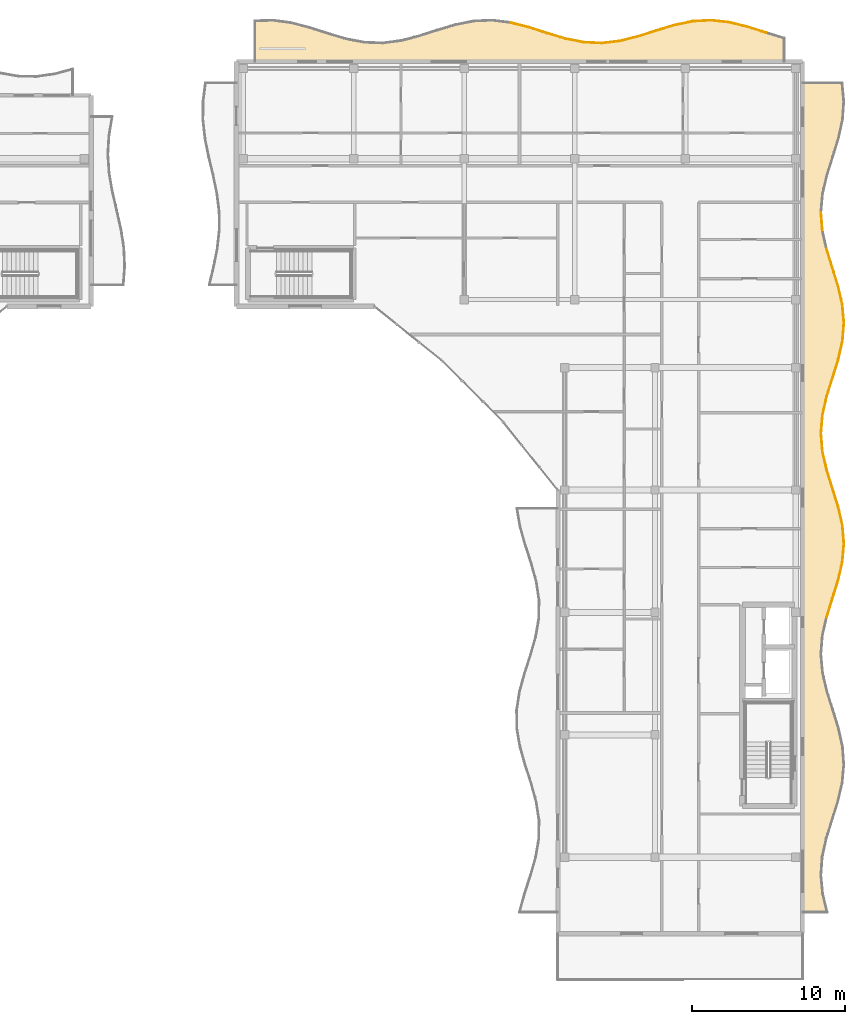
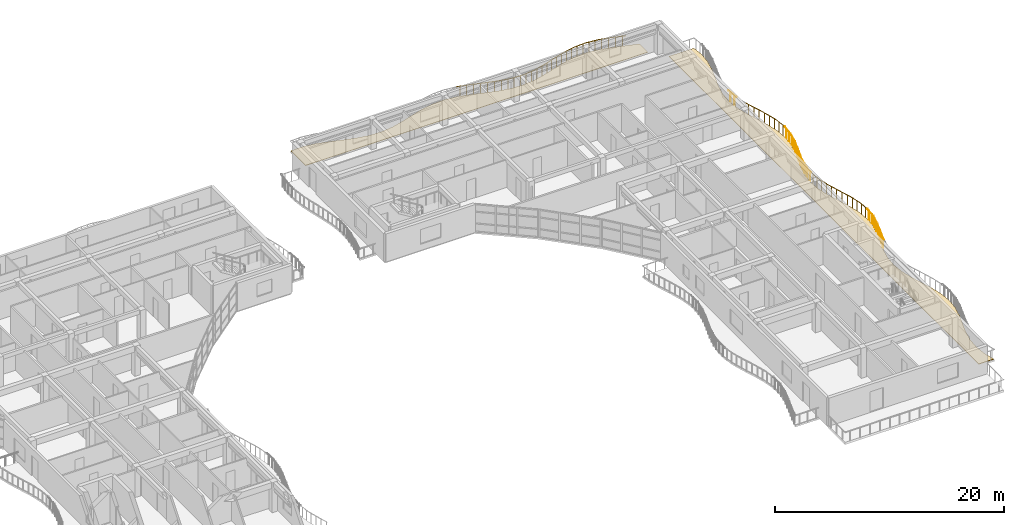
# One storey, part 48 of 49: 35 railings, 2 coverings.
"""IFC4 building model written with IfcOpenShell, lengths in metres."""

from ifc_helpers import new_model, si_unit, direction, frame, origin, origin_2d, place, context, subcontext, project, spatial, polyline, circle, outline, extrude, material, layer, layer_set, type_object, element, save


model = new_model("IFC4")

# Units and contexts
model_context = context("Model", 3, precision=1e-05, world=origin(), true_north=direction((0.0, 1.0)))
body_context = subcontext(model_context, "Body", "Model", "MODEL_VIEW")
ifc_project = project(units=[si_unit("LENGTHUNIT", "METRE"), si_unit("AREAUNIT", "SQUARE_METRE"), si_unit("VOLUMEUNIT", "CUBIC_METRE"), si_unit("PLANEANGLEUNIT", "RADIAN"), si_unit("MASSUNIT", "GRAM", prefix="KILO")], contexts=[model_context])

# Site, building, storey
site_placement = place(None, origin())
site = spatial("IfcSite", under=ifc_project, at=site_placement, CompositionType="ELEMENT")
building_placement = place(site_placement, origin())
building = spatial("IfcBuilding", under=site, at=building_placement, Name="Keldmere Railside Commons", CompositionType="ELEMENT")
storey_placement = place(building_placement, frame((0.0, 0.0, 29.760009765625)))
storey = spatial("IfcBuildingStorey", under=building, at=storey_placement, Name="L09", CompositionType="ELEMENT", Elevation=29.760009765625)

# Railings
ifc_material_1 = material(Name="Steel F-24 (S235)", Category="steel")
railing_type = type_object("IfcRailingType", Name="Balcony & Terrace Steel Balustrade 1100", PredefinedType="BALUSTRADE", material=ifc_material_1)
railing_1_placement = place(storey_placement, frame((164.9033203125, 118.546630859375, 0.0)))
element("IfcRailing", 1, at=railing_1_placement, inside=storey, type_object=railing_type, Name="GR-1 GRD-L09-4235", PredefinedType="BALUSTRADE", context=body_context, shape_type="SweptSolid", body=[
    extrude(circle(Radius=0.02392578125, at=origin_2d()), frame((0.0, 0.0, 1.076171875), z_axis=(0.968822622389, -0.24775537602, 0.0), x_axis=(0.24775537602, 0.968822622389, 0.0)), (0.0, 0.0, 1.0), 1.231689453125),
    extrude(circle(Radius=0.02099609375, at=origin_2d()), frame((0.29833984375, -0.076171875, 0.0)), (0.0, 0.0, 1.0), 1.048095703125),
    extrude(circle(Radius=0.02099609375, at=origin_2d()), frame((0.89501953125, -0.22900390625, 0.0)), (0.0, 0.0, 1.0), 1.048095703125),
])
railing_2_placement = place(storey_placement, frame((166.0966796875, 118.241455078125, 0.0)))
element("IfcRailing", 2, at=railing_2_placement, inside=storey, type_object=railing_type, Name="GR-1 GRD-L09-4236", PredefinedType="BALUSTRADE", context=body_context, shape_type="SweptSolid", body=[
    extrude(circle(Radius=0.02392578125, at=origin_2d()), frame((0.0, 0.0, 1.076171875), z_axis=(0.952301891594, -0.305157512224, 0.0), x_axis=(0.305157512224, 0.952301891594, 0.0)), (0.0, 0.0, 1.0), 1.2529296875),
    extrude(circle(Radius=0.02099609375, at=origin_2d()), frame((0.29833984375, -0.095703125, 0.0)), (0.0, 0.0, 1.0), 1.048095703125),
    extrude(circle(Radius=0.02099609375, at=origin_2d()), frame((0.894775390625, -0.28662109375, 0.0)), (0.0, 0.0, 1.0), 1.048095703125),
])
railing_3_placement = place(storey_placement, frame((167.289794921875, 117.859130859375, 0.0)))
element("IfcRailing", 3, at=railing_3_placement, inside=storey, type_object=railing_type, Name="GR-1 GRD-L09-4237", PredefinedType="BALUSTRADE", context=body_context, shape_type="SweptSolid", body=[
    extrude(circle(Radius=0.02392578125, at=origin_2d()), frame((0.0, 0.0, 1.076171875), z_axis=(0.957777724857, -0.287509703779, 0.0), x_axis=(0.287509703779, 0.957777724857, 0.0)), (0.0, 0.0, 1.0), 1.24560546875),
    extrude(circle(Radius=0.02099609375, at=origin_2d()), frame((0.29833984375, -0.089599609375, 0.0)), (0.0, 0.0, 1.0), 1.048095703125),
    extrude(circle(Radius=0.02099609375, at=origin_2d()), frame((0.894775390625, -0.2685546875, 0.0)), (0.0, 0.0, 1.0), 1.048095703125),
])
railing_4_placement = place(storey_placement, frame((168.48291015625, 117.5009765625, 0.0)))
element("IfcRailing", 4, at=railing_4_placement, inside=storey, type_object=railing_type, Name="GR-1 GRD-L09-4238", PredefinedType="BALUSTRADE", context=body_context, shape_type="SweptSolid", body=[
    extrude(circle(Radius=0.02392578125, at=origin_2d()), frame((0.0, 0.0, 1.076171875), z_axis=(0.980472473907, -0.196656370125, 0.0), x_axis=(0.196656370125, 0.980472473907, 0.0)), (0.0, 0.0, 1.0), 1.216552734375),
    extrude(circle(Radius=0.02099609375, at=origin_2d()), frame((0.29833984375, -0.059814453125, 0.0)), (0.0, 0.0, 1.0), 1.048095703125),
    extrude(circle(Radius=0.02099609375, at=origin_2d()), frame((0.89453125, -0.179443359375, 0.0)), (0.0, 0.0, 1.0), 1.048095703125),
])
railing_5_placement = place(storey_placement, frame((169.67578125, 117.26171875, 0.0)))
element("IfcRailing", 5, at=railing_5_placement, inside=storey, type_object=railing_type, Name="GR-1 GRD-L09-4239", PredefinedType="BALUSTRADE", context=body_context, shape_type="SweptSolid", body=[
    extrude(circle(Radius=0.02392578125, at=origin_2d()), frame((0.0, 0.0, 1.076171875), z_axis=(0.99885561793, -0.047827340822, 0.0), x_axis=(0.047827340822, 0.99885561793, 0.0)), (0.0, 0.0, 1.0), 1.194580078125),
    extrude(circle(Radius=0.02099609375, at=origin_2d()), frame((0.29833984375, -0.01416015625, 0.0)), (0.0, 0.0, 1.0), 1.048095703125),
    extrude(circle(Radius=0.02099609375, at=origin_2d()), frame((0.894775390625, -0.04296875, 0.0)), (0.0, 0.0, 1.0), 1.048095703125),
])
railing_6_placement = place(storey_placement, frame((170.868896484375, 117.20458984375, 0.0)))
element("IfcRailing", 6, at=railing_6_placement, inside=storey, type_object=railing_type, Name="GR-1 GRD-L09-4240", PredefinedType="BALUSTRADE", context=body_context, shape_type="SweptSolid", body=[
    extrude(circle(Radius=0.02392578125, at=origin_2d()), frame((0.0, 0.0, 1.076171875), z_axis=(0.9931256129, 0.117053479237, 0.0), x_axis=(-0.117053479237, 0.9931256129, 0.0)), (0.0, 0.0, 1.0), 1.201416015625),
    extrude(circle(Radius=0.02099609375, at=origin_2d()), frame((0.29833984375, 0.03515625, 0.0)), (0.0, 0.0, 1.0), 1.048095703125),
    extrude(circle(Radius=0.02099609375, at=origin_2d()), frame((0.894775390625, 0.10546875, 0.0)), (0.0, 0.0, 1.0), 1.048095703125),
])
railing_7_placement = place(storey_placement, frame((172.06201171875, 117.34521484375, 0.0)))
element("IfcRailing", 7, at=railing_7_placement, inside=storey, type_object=railing_type, Name="GR-1 GRD-L09-4241", PredefinedType="BALUSTRADE", context=body_context, shape_type="SweptSolid", body=[
    extrude(circle(Radius=0.02392578125, at=origin_2d()), frame((0.0, 0.0, 1.076171875), z_axis=(0.969662077574, 0.244449289865, 0.0), x_axis=(-0.244449289865, 0.969662077574, 0.0)), (0.0, 0.0, 1.0), 1.23046875),
    extrude(circle(Radius=0.02099609375, at=origin_2d()), frame((0.29833984375, 0.0751953125, 0.0)), (0.0, 0.0, 1.0), 1.048095703125),
    extrude(circle(Radius=0.02099609375, at=origin_2d()), frame((0.894775390625, 0.2255859375, 0.0)), (0.0, 0.0, 1.0), 1.048095703125),
])
railing_8_placement = place(storey_placement, frame((173.255126953125, 117.64599609375, 0.0)))
element("IfcRailing", 8, at=railing_8_placement, inside=storey, type_object=railing_type, Name="GR-1 GRD-L09-4242", PredefinedType="BALUSTRADE", context=body_context, shape_type="SweptSolid", body=[
    extrude(circle(Radius=0.02392578125, at=origin_2d()), frame((0.0, 0.0, 1.076171875), z_axis=(0.952528194843, 0.304450386811, 0.0), x_axis=(-0.304450386811, 0.952528194843, 0.0)), (0.0, 0.0, 1.0), 1.252685546875),
    extrude(circle(Radius=0.02099609375, at=origin_2d()), frame((0.29833984375, 0.09521484375, 0.0)), (0.0, 0.0, 1.0), 1.048095703125),
    extrude(circle(Radius=0.02099609375, at=origin_2d()), frame((0.894775390625, 0.2861328125, 0.0)), (0.0, 0.0, 1.0), 1.048095703125),
])
railing_9_placement = place(storey_placement, frame((174.4482421875, 118.02734375, 0.0)))
element("IfcRailing", 9, at=railing_9_placement, inside=storey, type_object=railing_type, Name="GR-1 GRD-L09-4243", PredefinedType="BALUSTRADE", context=body_context, shape_type="SweptSolid", body=[
    extrude(circle(Radius=0.02392578125, at=origin_2d()), frame((0.0, 0.0, 1.076171875), z_axis=(0.957182402153, 0.289485490154, 0.0), x_axis=(-0.289485490154, 0.957182402153, 0.0)), (0.0, 0.0, 1.0), 1.24658203125),
    extrude(circle(Radius=0.02099609375, at=origin_2d()), frame((0.29833984375, 0.09033203125, 0.0)), (0.0, 0.0, 1.0), 1.048095703125),
    extrude(circle(Radius=0.02099609375, at=origin_2d()), frame((0.894775390625, 0.2705078125, 0.0)), (0.0, 0.0, 1.0), 1.048095703125),
])
railing_10_placement = place(storey_placement, frame((175.641357421875, 118.38818359375, 0.0)))
element("IfcRailing", 10, at=railing_10_placement, inside=storey, type_object=railing_type, Name="GR-1 GRD-L09-4244", PredefinedType="BALUSTRADE", context=body_context, shape_type="SweptSolid", body=[
    extrude(circle(Radius=0.02392578125, at=origin_2d()), frame((0.0, 0.0, 1.076171875), z_axis=(0.979620908253, 0.200855361177, 0.0), x_axis=(-0.200855361177, 0.979620908253, 0.0)), (0.0, 0.0, 1.0), 1.218017578125),
    extrude(circle(Radius=0.02099609375, at=origin_2d()), frame((0.29833984375, 0.06103515625, 0.0)), (0.0, 0.0, 1.0), 1.048095703125),
    extrude(circle(Radius=0.02099609375, at=origin_2d()), frame((0.894775390625, 0.18359375, 0.0)), (0.0, 0.0, 1.0), 1.048095703125),
])
railing_11_placement = place(storey_placement, frame((176.83447265625, 118.6328125, 0.0)))
element("IfcRailing", 11, at=railing_11_placement, inside=storey, type_object=railing_type, Name="GR-1 GRD-L09-4245", PredefinedType="BALUSTRADE", context=body_context, shape_type="SweptSolid", body=[
    extrude(circle(Radius=0.02392578125, at=origin_2d()), frame((0.0, 0.0, 1.076171875), z_axis=(0.998565987454, 0.053534742933, 0.0), x_axis=(-0.053534742933, 0.998565987454, 0.0)), (0.0, 0.0, 1.0), 1.19482421875),
    extrude(circle(Radius=0.02099609375, at=origin_2d()), frame((0.29833984375, 0.01611328125, 0.0)), (0.0, 0.0, 1.0), 1.048095703125),
    extrude(circle(Radius=0.02099609375, at=origin_2d()), frame((0.894775390625, 0.0478515625, 0.0)), (0.0, 0.0, 1.0), 1.048095703125),
])
railing_12_placement = place(storey_placement, frame((178.027587890625, 118.69677734375, 0.0)))
element("IfcRailing", 12, at=railing_12_placement, inside=storey, type_object=railing_type, Name="GR-1 GRD-L09-4246", PredefinedType="BALUSTRADE", context=body_context, shape_type="SweptSolid", body=[
    extrude(circle(Radius=0.02392578125, at=origin_2d()), frame((0.0, 0.0, 1.076171875), z_axis=(0.993726514881, -0.111837442845, 0.0), x_axis=(0.111837442845, 0.993726514881, 0.0)), (0.0, 0.0, 1.0), 1.20068359375),
    extrude(circle(Radius=0.02099609375, at=origin_2d()), frame((0.29833984375, -0.03369140625, 0.0)), (0.0, 0.0, 1.0), 1.048095703125),
    extrude(circle(Radius=0.02099609375, at=origin_2d()), frame((0.894775390625, -0.1005859375, 0.0)), (0.0, 0.0, 1.0), 1.048095703125),
])
railing_13_placement = place(storey_placement, frame((179.220703125, 118.5625, 0.0)))
element("IfcRailing", 13, at=railing_13_placement, inside=storey, type_object=railing_type, Name="GR-1 GRD-L09-4247", PredefinedType="BALUSTRADE", context=body_context, shape_type="SweptSolid", body=[
    extrude(circle(Radius=0.02392578125, at=origin_2d()), frame((0.0, 0.0, 1.076171875), z_axis=(0.970503551286, -0.241086824486, 0.0), x_axis=(0.241086824486, 0.970503551286, 0.0)), (0.0, 0.0, 1.0), 1.2294921875),
    extrude(circle(Radius=0.02099609375, at=origin_2d()), frame((0.29833984375, -0.07421875, 0.0)), (0.0, 0.0, 1.0), 1.048095703125),
    extrude(circle(Radius=0.02099609375, at=origin_2d()), frame((0.894775390625, -0.22216796875, 0.0)), (0.0, 0.0, 1.0), 1.048095703125),
])
railing_14_placement = place(storey_placement, frame((180.413818359375, 118.26611328125, 0.0)))
element("IfcRailing", 14, at=railing_14_placement, inside=storey, type_object=railing_type, Name="GR-1 GRD-L09-4248", PredefinedType="BALUSTRADE", context=body_context, shape_type="SweptSolid", body=[
    extrude(circle(Radius=0.02392578125, at=origin_2d()), frame((0.0, 0.0, 1.076171875), z_axis=(0.952810485986, -0.303565771778, 0.0), x_axis=(0.303565771778, 0.952810485986, 0.0)), (0.0, 0.0, 1.0), 1.252197265625),
    extrude(circle(Radius=0.02099609375, at=origin_2d()), frame((0.29833984375, -0.094970703125, 0.0)), (0.0, 0.0, 1.0), 1.048095703125),
    extrude(circle(Radius=0.02099609375, at=origin_2d()), frame((0.894775390625, -0.28515625, 0.0)), (0.0, 0.0, 1.0), 1.048095703125),
])
railing_15_placement = place(storey_placement, frame((185.563720703125, 79.671142578125, 0.0)))
element("IfcRailing", 15, at=railing_15_placement, inside=storey, type_object=railing_type, Name="GR-1 GRD-L09-4292", PredefinedType="BALUSTRADE", context=body_context, shape_type="SweptSolid", body=[
    extrude(circle(Radius=0.02392578125, at=origin_2d()), frame((0.0, 0.0, 1.076171875), z_axis=(0.297117535427, 0.954840913525, 0.0), x_axis=(-0.954840913525, 0.297117535427, 0.0)), (0.0, 0.0, 1.0), 1.26123046875),
    extrude(circle(Radius=0.02099609375, at=origin_2d()), frame((0.09375, 0.301025390625, 0.0)), (0.0, 0.0, 1.0), 1.048095703125),
    extrude(circle(Radius=0.02099609375, at=origin_2d()), frame((0.281005859375, 0.9033203125, 0.0)), (0.0, 0.0, 1.0), 1.048095703125),
])
railing_16_placement = place(storey_placement, frame((185.9384765625, 80.87548828125, 0.0)))
element("IfcRailing", 16, at=railing_16_placement, inside=storey, type_object=railing_type, Name="GR-1 GRD-L09-4293", PredefinedType="BALUSTRADE", context=body_context, shape_type="SweptSolid", body=[
    extrude(circle(Radius=0.02392578125, at=origin_2d()), frame((0.0, 0.0, 1.076171875), z_axis=(0.299177815666, 0.954197377178, 0.0), x_axis=(-0.954197377178, 0.299177815666, 0.0)), (0.0, 0.0, 1.0), 1.262451171875),
    extrude(circle(Radius=0.02099609375, at=origin_2d()), frame((0.094482421875, 0.30126953125, 0.0)), (0.0, 0.0, 1.0), 1.048095703125),
    extrude(circle(Radius=0.02099609375, at=origin_2d()), frame((0.283203125, 0.9033203125, 0.0)), (0.0, 0.0, 1.0), 1.048095703125),
])
railing_17_placement = place(storey_placement, frame((186.316162109375, 82.080078125, 0.0)))
element("IfcRailing", 17, at=railing_17_placement, inside=storey, type_object=railing_type, Name="GR-1 GRD-L09-4294", PredefinedType="BALUSTRADE", context=body_context, shape_type="SweptSolid", body=[
    extrude(circle(Radius=0.02392578125, at=origin_2d()), frame((0.0, 0.0, 1.076171875), z_axis=(0.225724799596, 0.97419110797, 0.0), x_axis=(-0.97419110797, 0.225724799596, 0.0)), (0.0, 0.0, 1.0), 1.236328125),
    extrude(circle(Radius=0.02099609375, at=origin_2d()), frame((0.06982421875, 0.301025390625, 0.0)), (0.0, 0.0, 1.0), 1.048095703125),
    extrude(circle(Radius=0.02099609375, at=origin_2d()), frame((0.209228515625, 0.9033203125, 0.0)), (0.0, 0.0, 1.0), 1.048095703125),
])
railing_18_placement = place(storey_placement, frame((186.59521484375, 83.284423828125, 0.0)))
element("IfcRailing", 18, at=railing_18_placement, inside=storey, type_object=railing_type, Name="GR-1 GRD-L09-4295", PredefinedType="BALUSTRADE", context=body_context, shape_type="SweptSolid", body=[
    extrude(circle(Radius=0.02392578125, at=origin_2d()), frame((0.0, 0.0, 1.076171875), z_axis=(0.086620903395, 0.996241345807, 0.0), x_axis=(-0.996241345807, 0.086620903395, 0.0)), (0.0, 0.0, 1.0), 1.209228515625),
    extrude(circle(Radius=0.02099609375, at=origin_2d()), frame((0.026123046875, 0.30126953125, 0.0)), (0.0, 0.0, 1.0), 1.048095703125),
    extrude(circle(Radius=0.02099609375, at=origin_2d()), frame((0.07861328125, 0.9033203125, 0.0)), (0.0, 0.0, 1.0), 1.048095703125),
])
railing_19_placement = place(storey_placement, frame((186.699951171875, 84.489013671875, 0.0)))
element("IfcRailing", 19, at=railing_19_placement, inside=storey, type_object=railing_type, Name="GR-1 GRD-L09-4296", PredefinedType="BALUSTRADE", context=body_context, shape_type="SweptSolid", body=[
    extrude(circle(Radius=0.02392578125, at=origin_2d()), frame((0.0, 0.0, 1.076171875), z_axis=(-0.080821293997, 0.996728608216, 0.0), x_axis=(-0.996728608216, -0.080821293997, 0.0)), (0.0, 0.0, 1.0), 1.208251953125),
    extrude(circle(Radius=0.02099609375, at=origin_2d()), frame((-0.0244140625, 0.301025390625, 0.0)), (0.0, 0.0, 1.0), 1.048095703125),
    extrude(circle(Radius=0.02099609375, at=origin_2d()), frame((-0.0732421875, 0.9033203125, 0.0)), (0.0, 0.0, 1.0), 1.048095703125),
])
railing_20_placement = place(storey_placement, frame((186.602294921875, 85.693359375, 0.0)))
element("IfcRailing", 20, at=railing_20_placement, inside=storey, type_object=railing_type, Name="GR-1 GRD-L09-4297", PredefinedType="BALUSTRADE", context=body_context, shape_type="SweptSolid", body=[
    extrude(circle(Radius=0.02392578125, at=origin_2d()), frame((0.0, 0.0, 1.076171875), z_axis=(-0.221595471576, 0.975138680895, 0.0), x_axis=(-0.975138680895, -0.221595471576, 0.0)), (0.0, 0.0, 1.0), 1.235107421875),
    extrude(circle(Radius=0.02099609375, at=origin_2d()), frame((-0.068359375, 0.301025390625, 0.0)), (0.0, 0.0, 1.0), 1.048095703125),
    extrude(circle(Radius=0.02099609375, at=origin_2d()), frame((-0.205322265625, 0.9033203125, 0.0)), (0.0, 0.0, 1.0), 1.048095703125),
])
railing_21_placement = place(storey_placement, frame((186.32861328125, 86.897705078125, 0.0)))
element("IfcRailing", 21, at=railing_21_placement, inside=storey, type_object=railing_type, Name="GR-1 GRD-L09-4298", PredefinedType="BALUSTRADE", context=body_context, shape_type="SweptSolid", body=[
    extrude(circle(Radius=0.02392578125, at=origin_2d()), frame((0.0, 0.0, 1.076171875), z_axis=(-0.297768180786, 0.954638209225, 0.0), x_axis=(-0.954638209225, -0.297768180786, 0.0)), (0.0, 0.0, 1.0), 1.26171875),
    extrude(circle(Radius=0.02099609375, at=origin_2d()), frame((-0.093994140625, 0.30126953125, 0.0)), (0.0, 0.0, 1.0), 1.048095703125),
    extrude(circle(Radius=0.02099609375, at=origin_2d()), frame((-0.28173828125, 0.9033203125, 0.0)), (0.0, 0.0, 1.0), 1.048095703125),
])
railing_22_placement = place(storey_placement, frame((185.952880859375, 88.102294921875, 0.0)))
element("IfcRailing", 22, at=railing_22_placement, inside=storey, type_object=railing_type, Name="GR-1 GRD-L09-4299", PredefinedType="BALUSTRADE", context=body_context, shape_type="SweptSolid", body=[
    extrude(circle(Radius=0.02392578125, at=origin_2d()), frame((0.0, 0.0, 1.076171875), z_axis=(-0.29852835611, 0.954400765192, 0.0), x_axis=(-0.954400765192, -0.29852835611, 0.0)), (0.0, 0.0, 1.0), 1.261962890625),
    extrude(circle(Radius=0.02099609375, at=origin_2d()), frame((-0.09423828125, 0.301025390625, 0.0)), (0.0, 0.0, 1.0), 1.048095703125),
    extrude(circle(Radius=0.02099609375, at=origin_2d()), frame((-0.282470703125, 0.9033203125, 0.0)), (0.0, 0.0, 1.0), 1.048095703125),
])
railing_23_placement = place(storey_placement, frame((185.576171875, 89.306640625, 0.0)))
element("IfcRailing", 23, at=railing_23_placement, inside=storey, type_object=railing_type, Name="GR-1 GRD-L09-4300", PredefinedType="BALUSTRADE", context=body_context, shape_type="SweptSolid", body=[
    extrude(circle(Radius=0.02392578125, at=origin_2d()), frame((0.0, 0.0, 1.076171875), z_axis=(-0.223286197177, 0.974752929798, 0.0), x_axis=(-0.974752929798, -0.223286197177, 0.0)), (0.0, 0.0, 1.0), 1.235595703125),
    extrude(circle(Radius=0.02099609375, at=origin_2d()), frame((-0.06884765625, 0.301025390625, 0.0)), (0.0, 0.0, 1.0), 1.048095703125),
    extrude(circle(Radius=0.02099609375, at=origin_2d()), frame((-0.20703125, 0.9033203125, 0.0)), (0.0, 0.0, 1.0), 1.048095703125),
])
railing_24_placement = place(storey_placement, frame((185.30029296875, 90.510986328125, 0.0)))
element("IfcRailing", 24, at=railing_24_placement, inside=storey, type_object=railing_type, Name="GR-1 GRD-L09-4301", PredefinedType="BALUSTRADE", context=body_context, shape_type="SweptSolid", body=[
    extrude(circle(Radius=0.02392578125, at=origin_2d()), frame((0.0, 0.0, 1.076171875), z_axis=(-0.083012049332, 0.996548543557, 0.0), x_axis=(-0.996548543557, -0.083012049332, 0.0)), (0.0, 0.0, 1.0), 1.208740234375),
    extrude(circle(Radius=0.02099609375, at=origin_2d()), frame((-0.025146484375, 0.30126953125, 0.0)), (0.0, 0.0, 1.0), 1.048095703125),
    extrude(circle(Radius=0.02099609375, at=origin_2d()), frame((-0.0751953125, 0.9033203125, 0.0)), (0.0, 0.0, 1.0), 1.048095703125),
])
railing_25_placement = place(storey_placement, frame((185.199951171875, 91.715576171875, 0.0)))
element("IfcRailing", 25, at=railing_25_placement, inside=storey, type_object=railing_type, Name="GR-1 GRD-L09-4302", PredefinedType="BALUSTRADE", context=body_context, shape_type="SweptSolid", body=[
    extrude(circle(Radius=0.02392578125, at=origin_2d()), frame((0.0, 0.0, 1.076171875), z_axis=(0.084432879112, 0.996429169046, 0.0), x_axis=(-0.996429169046, 0.084432879112, 0.0)), (0.0, 0.0, 1.0), 1.208740234375),
    extrude(circle(Radius=0.02099609375, at=origin_2d()), frame((0.025390625, 0.301025390625, 0.0)), (0.0, 0.0, 1.0), 1.048095703125),
    extrude(circle(Radius=0.02099609375, at=origin_2d()), frame((0.07666015625, 0.9033203125, 0.0)), (0.0, 0.0, 1.0), 1.048095703125),
])
railing_26_placement = place(storey_placement, frame((185.302001953125, 92.919921875, 0.0)))
element("IfcRailing", 26, at=railing_26_placement, inside=storey, type_object=railing_type, Name="GR-1 GRD-L09-4303", PredefinedType="BALUSTRADE", context=body_context, shape_type="SweptSolid", body=[
    extrude(circle(Radius=0.02392578125, at=origin_2d()), frame((0.0, 0.0, 1.076171875), z_axis=(0.223993857033, 0.974590556086, 0.0), x_axis=(-0.974590556086, 0.223993857033, 0.0)), (0.0, 0.0, 1.0), 1.236083984375),
    extrude(circle(Radius=0.02099609375, at=origin_2d()), frame((0.0693359375, 0.30126953125, 0.0)), (0.0, 0.0, 1.0), 1.048095703125),
    extrude(circle(Radius=0.02099609375, at=origin_2d()), frame((0.20751953125, 0.9033203125, 0.0)), (0.0, 0.0, 1.0), 1.048095703125),
])
railing_27_placement = place(storey_placement, frame((185.578857421875, 94.12451171875, 0.0)))
element("IfcRailing", 27, at=railing_27_placement, inside=storey, type_object=railing_type, Name="GR-1 GRD-L09-4304", PredefinedType="BALUSTRADE", context=body_context, shape_type="SweptSolid", body=[
    extrude(circle(Radius=0.02392578125, at=origin_2d()), frame((0.0, 0.0, 1.076171875), z_axis=(0.2987045714, 0.954345628703, 0.0), x_axis=(-0.954345628703, 0.2987045714, 0.0)), (0.0, 0.0, 1.0), 1.261962890625),
    extrude(circle(Radius=0.02099609375, at=origin_2d()), frame((0.09423828125, 0.301025390625, 0.0)), (0.0, 0.0, 1.0), 1.048095703125),
    extrude(circle(Radius=0.02099609375, at=origin_2d()), frame((0.28271484375, 0.9033203125, 0.0)), (0.0, 0.0, 1.0), 1.048095703125),
])
railing_28_placement = place(storey_placement, frame((185.955810546875, 95.328857421875, 0.0)))
element("IfcRailing", 28, at=railing_28_placement, inside=storey, type_object=railing_type, Name="GR-1 GRD-L09-4305", PredefinedType="BALUSTRADE", context=body_context, shape_type="SweptSolid", body=[
    extrude(circle(Radius=0.02392578125, at=origin_2d()), frame((0.0, 0.0, 1.076171875), z_axis=(0.297646821843, 0.954676054715, 0.0), x_axis=(-0.954676054715, 0.297646821843, 0.0)), (0.0, 0.0, 1.0), 1.261474609375),
    extrude(circle(Radius=0.02099609375, at=origin_2d()), frame((0.09375, 0.301025390625, 0.0)), (0.0, 0.0, 1.0), 1.048095703125),
    extrude(circle(Radius=0.02099609375, at=origin_2d()), frame((0.28173828125, 0.9033203125, 0.0)), (0.0, 0.0, 1.0), 1.048095703125),
])
railing_29_placement = place(storey_placement, frame((186.331298828125, 96.533203125, 0.0)))
element("IfcRailing", 29, at=railing_29_placement, inside=storey, type_object=railing_type, Name="GR-1 GRD-L09-4306", PredefinedType="BALUSTRADE", context=body_context, shape_type="SweptSolid", body=[
    extrude(circle(Radius=0.02392578125, at=origin_2d()), frame((0.0, 0.0, 1.076171875), z_axis=(0.220800817881, 0.975318921596, 0.0), x_axis=(-0.975318921596, 0.220800817881, 0.0)), (0.0, 0.0, 1.0), 1.235107421875),
    extrude(circle(Radius=0.02099609375, at=origin_2d()), frame((0.068115234375, 0.30126953125, 0.0)), (0.0, 0.0, 1.0), 1.048095703125),
    extrude(circle(Radius=0.02099609375, at=origin_2d()), frame((0.20458984375, 0.9033203125, 0.0)), (0.0, 0.0, 1.0), 1.048095703125),
])
railing_30_placement = place(storey_placement, frame((186.60400390625, 97.73779296875, 0.0)))
element("IfcRailing", 30, at=railing_30_placement, inside=storey, type_object=railing_type, Name="GR-1 GRD-L09-4307", PredefinedType="BALUSTRADE", context=body_context, shape_type="SweptSolid", body=[
    extrude(circle(Radius=0.02392578125, at=origin_2d()), frame((0.0, 0.0, 1.076171875), z_axis=(0.079415920575, 0.996841567933, 0.0), x_axis=(-0.996841567933, 0.079415920575, 0.0)), (0.0, 0.0, 1.0), 1.208251953125),
    extrude(circle(Radius=0.02099609375, at=origin_2d()), frame((0.02392578125, 0.301025390625, 0.0)), (0.0, 0.0, 1.0), 1.048095703125),
    extrude(circle(Radius=0.02099609375, at=origin_2d()), frame((0.072021484375, 0.9033203125, 0.0)), (0.0, 0.0, 1.0), 1.048095703125),
])
railing_31_placement = place(storey_placement, frame((186.699951171875, 98.942138671875, 0.0)))
element("IfcRailing", 31, at=railing_31_placement, inside=storey, type_object=railing_type, Name="GR-1 GRD-L09-4308", PredefinedType="BALUSTRADE", context=body_context, shape_type="SweptSolid", body=[
    extrude(circle(Radius=0.02392578125, at=origin_2d()), frame((0.0, 0.0, 1.076171875), z_axis=(-0.088023434171, 0.996118404125, 0.0), x_axis=(-0.996118404125, -0.088023434171, 0.0)), (0.0, 0.0, 1.0), 1.209228515625),
    extrude(circle(Radius=0.02099609375, at=origin_2d()), frame((-0.026611328125, 0.30126953125, 0.0)), (0.0, 0.0, 1.0), 1.048095703125),
    extrude(circle(Radius=0.02099609375, at=origin_2d()), frame((-0.079833984375, 0.9033203125, 0.0)), (0.0, 0.0, 1.0), 1.048095703125),
])
railing_32_placement = place(storey_placement, frame((186.593505859375, 100.146728515625, 0.0)))
element("IfcRailing", 32, at=railing_32_placement, inside=storey, type_object=railing_type, Name="GR-1 GRD-L09-4309", PredefinedType="BALUSTRADE", context=body_context, shape_type="SweptSolid", body=[
    extrude(circle(Radius=0.02392578125, at=origin_2d()), frame((0.0, 0.0, 1.076171875), z_axis=(-0.226474288289, 0.974017143968, 0.0), x_axis=(-0.974017143968, -0.226474288289, 0.0)), (0.0, 0.0, 1.0), 1.236572265625),
    extrude(circle(Radius=0.02099609375, at=origin_2d()), frame((-0.070068359375, 0.301025390625, 0.0)), (0.0, 0.0, 1.0), 1.048095703125),
    extrude(circle(Radius=0.02099609375, at=origin_2d()), frame((-0.2099609375, 0.9033203125, 0.0)), (0.0, 0.0, 1.0), 1.048095703125),
])
railing_33_placement = place(storey_placement, frame((186.3134765625, 101.35107421875, 0.0)))
element("IfcRailing", 33, at=railing_33_placement, inside=storey, type_object=railing_type, Name="GR-1 GRD-L09-4310", PredefinedType="BALUSTRADE", context=body_context, shape_type="SweptSolid", body=[
    extrude(circle(Radius=0.02392578125, at=origin_2d()), frame((0.0, 0.0, 1.076171875), z_axis=(-0.299529918968, 0.954086907804, 0.0), x_axis=(-0.954086907804, -0.299529918968, 0.0)), (0.0, 0.0, 1.0), 1.262451171875),
    extrude(circle(Radius=0.02099609375, at=origin_2d()), frame((-0.094482421875, 0.30126953125, 0.0)), (0.0, 0.0, 1.0), 1.048095703125),
    extrude(circle(Radius=0.02099609375, at=origin_2d()), frame((-0.28369140625, 0.9033203125, 0.0)), (0.0, 0.0, 1.0), 1.048095703125),
])
railing_34_placement = place(storey_placement, frame((185.935302734375, 102.5556640625, 0.0)))
element("IfcRailing", 34, at=railing_34_placement, inside=storey, type_object=railing_type, Name="GR-1 GRD-L09-4311", PredefinedType="BALUSTRADE", context=body_context, shape_type="SweptSolid", body=[
    extrude(circle(Radius=0.02392578125, at=origin_2d()), frame((0.0, 0.0, 1.076171875), z_axis=(-0.296587974984, 0.955005535636, 0.0), x_axis=(-0.955005535636, -0.296587974984, 0.0)), (0.0, 0.0, 1.0), 1.260986328125),
    extrude(circle(Radius=0.02099609375, at=origin_2d()), frame((-0.093505859375, 0.301025390625, 0.0)), (0.0, 0.0, 1.0), 1.048095703125),
    extrude(circle(Radius=0.02099609375, at=origin_2d()), frame((-0.280517578125, 0.9033203125, 0.0)), (0.0, 0.0, 1.0), 1.048095703125),
])
railing_35_placement = place(storey_placement, frame((185.2919921875, 104.96435546875, 0.0)))
element("IfcRailing", 35, at=railing_35_placement, inside=storey, type_object=railing_type, Name="GR-1 GRD-L09-4313", PredefinedType="BALUSTRADE", context=body_context, shape_type="SweptSolid", body=[
    extrude(circle(Radius=0.02392578125, at=origin_2d()), frame((0.0, 0.0, 1.076171875), z_axis=(-0.075985600339, 0.997108915085, 0.0), x_axis=(-0.997108915085, -0.075985600339, 0.0)), (0.0, 0.0, 1.0), 1.2080078125),
    extrude(circle(Radius=0.02099609375, at=origin_2d()), frame((-0.02294921875, 0.30126953125, 0.0)), (0.0, 0.0, 1.0), 1.048095703125),
    extrude(circle(Radius=0.02099609375, at=origin_2d()), frame((-0.06884765625, 0.9033203125, 0.0)), (0.0, 0.0, 1.0), 1.048095703125),
])

# Coverings
ifc_material_2 = material(Name="White Precast Concrete C35/45", Category="concrete")
ifc_layer = layer(ifc_material_2, 0.044921875, Name="White Architectural Balcony Ribbon Cladding 45")
ifc_layer_set = layer_set([ifc_layer], Name="White Precast Concrete C35/45")
covering_type = type_object("IfcCoveringType", Name="White Architectural Balcony Ribbon Cladding 45", PredefinedType="FLOORING", material=ifc_layer_set)
covering_1_placement = place(storey_placement, origin())
element("IfcCovering", 36, at=covering_1_placement, inside=storey, type_object=covering_type, Name="CLG-WB A L09 N White Balcony Ribbon", PredefinedType="FLOORING", context=body_context, shape_type="SweptSolid", body=[
    extrude(outline(polyline([(182.760009765625, 116.0400390625), (182.760009765625, 117.4931640625), (181.59521484375, 117.847900390625), (181.5947265625, 117.847900390625), (180.40283203125, 118.227783203125), (179.213623046875, 118.523193359375), (178.0263671875, 118.656494140625), (176.839599609375, 118.593017578125), (175.651123046875, 118.349365234375), (174.460205078125, 117.9892578125), (173.267333984375, 117.60791015625), (173.264892578125, 117.607421875), (172.072021484375, 117.306396484375), (172.06689453125, 117.3056640625), (170.873779296875, 117.1650390625), (170.870361328125, 117.164794921875), (170.8671875, 117.164794921875), (169.674072265625, 117.2216796875), (169.6708984375, 117.221923828125), (169.66796875, 117.222412109375), (168.474853515625, 117.461669921875), (168.47119140625, 117.462646484375), (167.2783203125, 117.82080078125), (167.277587890625, 117.821044921875), (166.08544921875, 118.202880859375), (164.89599609375, 118.507080078125), (163.708740234375, 118.653564453125), (162.52197265625, 118.60400390625), (161.333740234375, 118.37109375), (160.142822265625, 118.01611328125), (158.9501953125, 117.633056640625), (158.947998046875, 117.63232421875), (157.7548828125, 117.322998046875), (157.75, 117.322021484375), (156.556884765625, 117.168701171875), (156.553466796875, 117.168212890625), (156.55029296875, 117.168212890625), (155.357177734375, 117.211181640625), (155.35400390625, 117.211669921875), (155.35107421875, 117.2119140625), (154.157958984375, 117.440185546875), (154.154296875, 117.441162109375), (152.961181640625, 117.7939453125), (152.960205078125, 117.794189453125), (151.76806640625, 118.177978515625), (150.578369140625, 118.490478515625), (149.39111328125, 118.6494140625), (148.239990234375, 118.61474609375), (148.239990234375, 116.0400390625), (182.760009765625, 116.0400390625)])), origin(), (0.0, 0.0, 1.0), 0.044921875),
])
covering_2_placement = place(storey_placement, origin())
element("IfcCovering", 37, at=covering_2_placement, inside=storey, type_object=covering_type, Name="CLG-WB A L09 CE White Balcony Ribbon", PredefinedType="FLOORING", context=body_context, shape_type="SweptSolid", body=[
    extrude(outline(polyline([(185.27978515625, 61.59521484375), (185.27880859375, 61.6005859375), (185.160888671875, 62.804931640625), (185.16064453125, 62.808349609375), (185.160888671875, 62.811767578125), (185.2451171875, 64.01611328125), (185.24609375, 64.02197265625), (185.509765625, 65.226318359375), (185.5107421875, 65.2294921875), (185.8828125, 66.43408203125), (185.8828125, 66.43408203125), (186.26220703125, 67.63720703125), (186.54638671875, 68.837646484375), (186.659423828125, 70.035888671875), (186.571044921875, 71.234130859375), (186.304931640625, 72.43408203125), (185.93212890625, 73.636962890625), (185.55322265625, 74.84130859375), (185.552490234375, 74.84423828125), (185.2705078125, 76.048583984375), (185.26953125, 76.05419921875), (185.160400390625, 77.258544921875), (185.16015625, 77.261962890625), (185.160400390625, 77.265380859375), (185.25341796875, 78.4697265625), (185.25439453125, 78.4755859375), (185.52490234375, 79.679931640625), (185.525634765625, 79.68310546875), (185.900390625, 80.887451171875), (185.900390625, 80.8876953125), (186.277587890625, 82.090576171875), (186.555419921875, 83.290771484375), (186.659912109375, 84.489013671875), (186.562744140625, 85.687255859375), (186.2900390625, 86.887451171875), (185.91455078125, 88.09033203125), (185.5380859375, 89.294921875), (185.537109375, 89.2978515625), (185.261474609375, 90.502197265625), (185.260498046875, 90.5078125), (185.16015625, 91.71240234375), (185.159912109375, 91.715576171875), (185.16015625, 91.718994140625), (185.26220703125, 92.92333984375), (185.262939453125, 92.928955078125), (185.539794921875, 94.13330078125), (185.54052734375, 94.136474609375), (185.917724609375, 95.3408203125), (186.29248046875, 96.543701171875), (186.564208984375, 97.743896484375), (186.659912109375, 98.94189453125), (186.553955078125, 100.140380859375), (186.27490234375, 101.340576171875), (185.897216796875, 102.543701171875), (185.897216796875, 102.543701171875), (185.52294921875, 103.748046875), (185.522216796875, 103.751220703125), (185.2529296875, 104.955810546875), (185.251953125, 104.96142578125), (185.160400390625, 106.166015625), (185.16015625, 106.169189453125), (185.160400390625, 106.172607421875), (185.27099609375, 107.376953125), (185.27197265625, 107.382568359375), (185.55517578125, 108.5869140625), (185.555908203125, 108.58984375), (185.93505859375, 109.794189453125), (186.3076171875, 110.996826171875), (186.572509765625, 112.197021484375), (186.659423828125, 113.39501953125), (186.548095703125, 114.56005859375), (184.0400390625, 114.56005859375), (184.0400390625, 60.43994140625), (185.55615234375, 60.43994140625), (185.27978515625, 61.59521484375)])), origin(), (0.0, 0.0, 1.0), 0.044921875),
])

save(model, "model.ifc")
